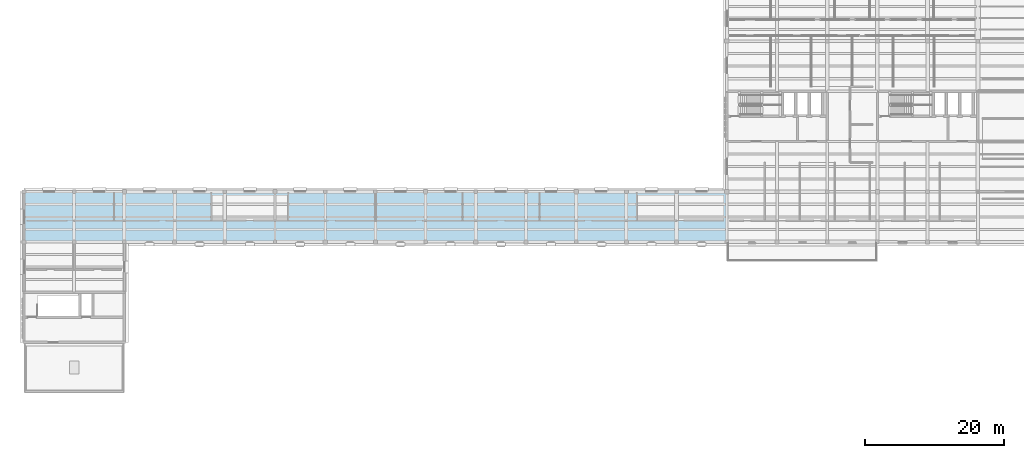
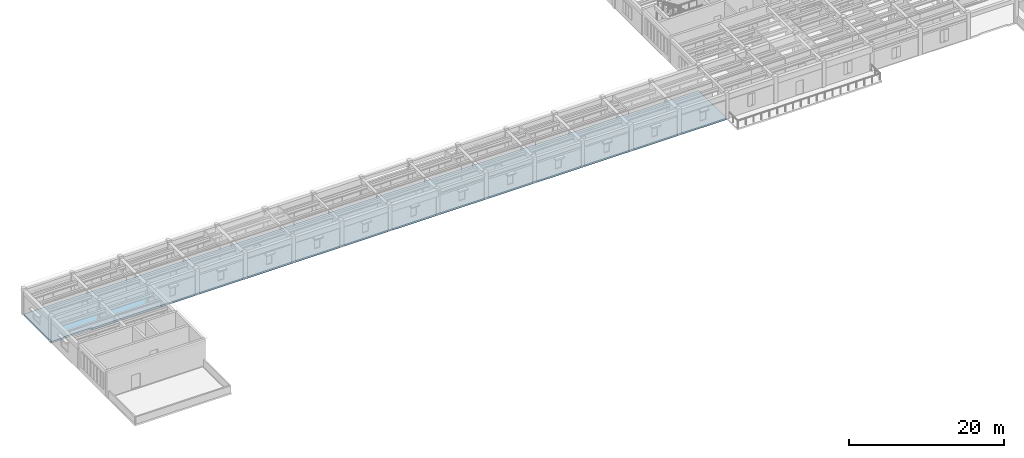
# One storey, part 6 of 22: 1 slab.
"""IFC4 building model written with IfcOpenShell, lengths in metres."""

from ifc_helpers import new_model, si_unit, direction, frame, origin, place, context, subcontext, project, spatial, polyline, outline, extrude, material, layer, layer_set, type_object, element, save


model = new_model("IFC4")

# Units and contexts
model_context = context("Model", 3, precision=1e-05, world=origin(), true_north=direction((0.0, 1.0)))
body_context = subcontext(model_context, "Body", "Model", "MODEL_VIEW")
ifc_project = project(units=[si_unit("LENGTHUNIT", "METRE"), si_unit("AREAUNIT", "SQUARE_METRE"), si_unit("VOLUMEUNIT", "CUBIC_METRE"), si_unit("PLANEANGLEUNIT", "RADIAN"), si_unit("MASSUNIT", "GRAM", prefix="KILO")], contexts=[model_context])

# Site, building, storey
site_placement = place(None, origin())
site = spatial("IfcSite", under=ifc_project, at=site_placement, CompositionType="ELEMENT")
building_placement = place(site_placement, origin())
building = spatial("IfcBuilding", under=site, at=building_placement, Name="Mithqara Police Headquarters", CompositionType="ELEMENT")
storey_placement = place(building_placement, frame((0.0, 0.0, 22.199951171875)))
storey = spatial("IfcBuildingStorey", under=building, at=storey_placement, Name="L05", CompositionType="ELEMENT", Elevation=22.199951171875)

# Slab
ifc_material = material(Name="Concrete C40/50", Category="concrete")
ifc_layer = layer(ifc_material, 0.260009765625, Name="Concrete C40/50")
ifc_layer_set = layer_set([ifc_layer], Name="Concrete C40/50")
slab_type = type_object("IfcSlabType", Name="FLOOR SLAB 260", PredefinedType="FLOOR", material=ifc_layer_set)
slab_placement = place(storey_placement, frame((0.0, 0.0, -0.260009765625)))
element("IfcSlab", 1, at=slab_placement, inside=storey, type_object=slab_type, Name="L05 Structural Slab L05-V5N", PredefinedType="FLOOR", context=body_context, shape_type="SweptSolid", body=[
    extrude(outline(polyline([(13.800048828125, 78.60009765625), (13.800048828125, 78.739990234375), (9.60009765625, 78.739990234375), (9.60009765625, 78.60009765625), (7.800048828125, 78.60009765625), (7.800048828125, 85.800048828125), (108.60009765625, 85.800048828125), (108.60009765625, 78.60009765625), (13.800048828125, 78.60009765625)])), origin(), (0.0, 0.0, 1.0), 0.260009765625),
])

save(model, "model.ifc")
